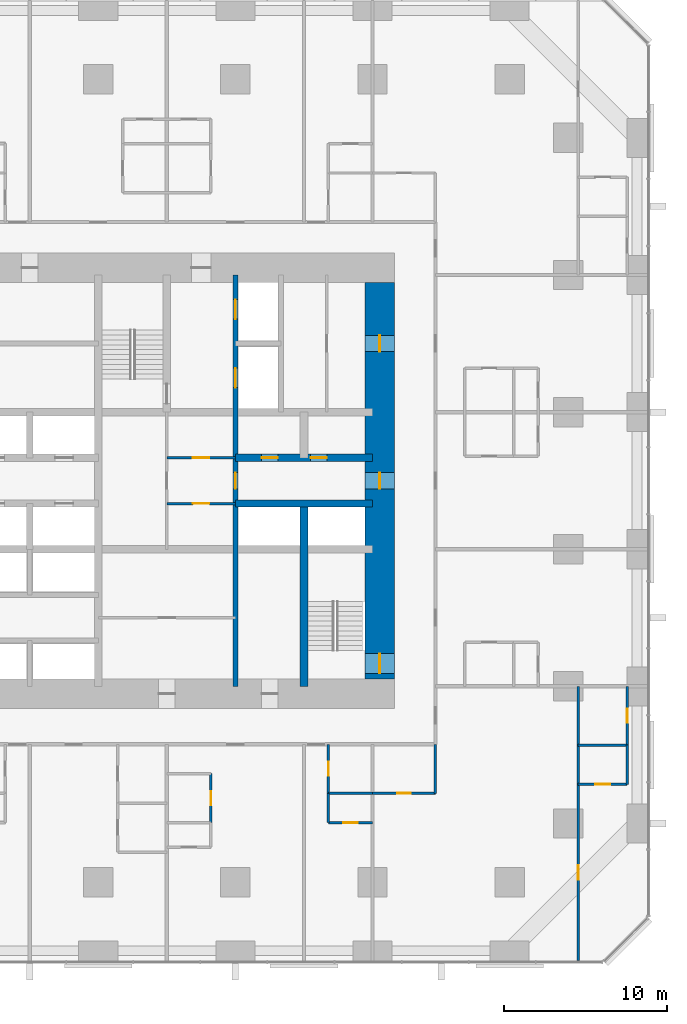
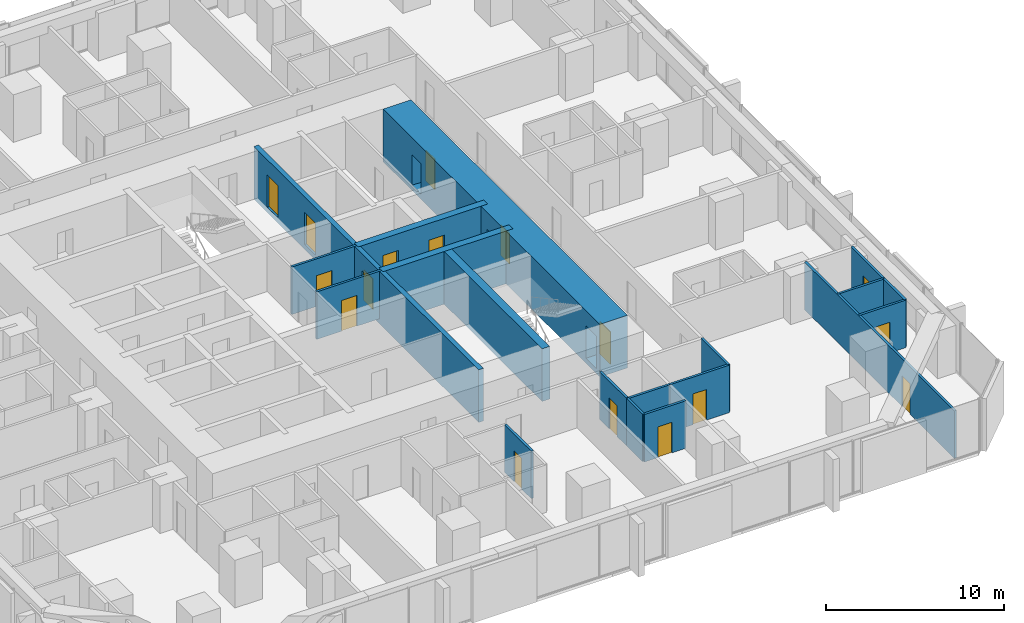
# One storey, part 13 of 17: 19 walls, 17 doors, 17 openings.
"""IFC4 building model written with IfcOpenShell, lengths in metres."""

from ifc_helpers import new_model, si_unit, direction, frame, frame_2d, origin, place, context, subcontext, project, spatial, rectangle, extrude, material, layer, layer_set, type_object, element, fill, save


model = new_model("IFC4")

# Units and contexts
model_context = context("Model", 3, precision=1e-05, world=origin(), true_north=direction((0.0, 1.0)))
body_context = subcontext(model_context, "Body", "Model", "MODEL_VIEW")
ifc_project = project(units=[si_unit("LENGTHUNIT", "METRE"), si_unit("AREAUNIT", "SQUARE_METRE"), si_unit("VOLUMEUNIT", "CUBIC_METRE"), si_unit("PLANEANGLEUNIT", "RADIAN"), si_unit("MASSUNIT", "GRAM", prefix="KILO")], contexts=[model_context])

# Site, building, storey
site_placement = place(None, origin())
site = spatial("IfcSite", under=ifc_project, at=site_placement, CompositionType="ELEMENT")
building_placement = place(site_placement, origin())
building = spatial("IfcBuilding", under=site, at=building_placement, Name="Dunama Terrace Hotel", CompositionType="ELEMENT")
storey_placement = place(building_placement, frame((0.0, 0.0, 37.800048828125)))
storey = spatial("IfcBuildingStorey", under=building, at=storey_placement, Name="L08", CompositionType="ELEMENT", Elevation=37.800048828125)

# Wall, opening, door
ifc_material_1 = material(Name="Gypsum board partition", Category="masonry")
ifc_layer_1 = layer(ifc_material_1, 0.14990234375)
ifc_layer_set_1 = layer_set([ifc_layer_1], Name="Bathroom partition 150")
wall_type_1 = type_object("IfcWallType", Name="Bathroom partition 150", PredefinedType="PARTITIONING", material=ifc_layer_set_1)
wall_1_placement = place(storey_placement, frame((32.10009765625, 8.449951171875, 0.0), z_axis=(0.0, 0.0, 1.0), x_axis=(0.0, 1.0, 0.0)))
wall_1 = element("IfcWall", 1, at=wall_1_placement, inside=storey, type_object=wall_type_1, Name="Bathroom partition 150 L08", PredefinedType="PARTITIONING", context=body_context, shape_type="SweptSolid", body=[
    extrude(rectangle(XDim=3.0, YDim=0.14990234375, at=frame_2d((1.5, 0.0))), origin(), (0.0, 0.0, 1.0), 3.25),
])
opening_1_placement = place(wall_1_placement, frame((1.074951171875, 0.0, 0.0)))
opening_1 = element("IfcOpeningElement", 2, at=opening_1_placement, cuts=wall_1, Name="Opening L07-09-016", PredefinedType="OPENING", context=body_context, shape_type="SweptSolid", body=[
    extrude(rectangle(XDim=0.85009765625, YDim=2.10009765625, at=frame_2d((0.425048828125, 1.050048828125))), frame((0.0, 0.0849609375, 0.0), z_axis=(0.0, -1.0, 0.0), x_axis=(1.0, 0.0, 0.0)), (0.0, 0.0, 1.0), 0.169921875),
])
ifc_material_2 = material(Name="Timber door with steel frame", Category="steel")
door_type_1 = type_object("IfcDoorType", Name="Bathroom door 850", OperationType="SINGLE_SWING_LEFT", PredefinedType="DOOR", material=ifc_material_2)
door_1_placement = place(opening_1_placement, origin())
door_1 = element("IfcDoor", 3, at=door_1_placement, inside=storey, type_object=door_type_1, Name="Door to en-suite bathroom L07-09-016, type D2", OperationType="SINGLE_SWING_LEFT", OverallHeight=2.10009765625, OverallWidth=0.85009765625, PredefinedType="DOOR", context=body_context, shape_type="SweptSolid", body=[
    extrude(rectangle(XDim=0.85009765625, YDim=2.10009765625, at=frame_2d((0.425048828125, 1.050048828125))), frame((0.0, 0.02490234375, 0.0), z_axis=(0.0, -1.0, 0.0), x_axis=(1.0, 0.0, 0.0)), (0.0, 0.0, 1.0), 0.050048828125),
])
fill(opening_1, door_1)

wall_2_placement = place(storey_placement, frame((39.300048828125, 10.25, 0.0), z_axis=(0.0, 0.0, 1.0), x_axis=(0.0, 1.0, 0.0)))
wall_2 = element("IfcWall", 4, at=wall_2_placement, inside=storey, type_object=wall_type_1, Name="Bathroom partition 150 L08", PredefinedType="PARTITIONING", context=body_context, shape_type="SweptSolid", body=[
    extrude(rectangle(XDim=3.0, YDim=0.14990234375, at=frame_2d((1.5, 0.0))), origin(), (0.0, 0.0, 1.0), 3.25),
])
opening_2_placement = place(wall_2_placement, frame((1.074951171875, 0.0, 0.0)))
opening_2 = element("IfcOpeningElement", 5, at=opening_2_placement, cuts=wall_2, Name="Opening L07-09-019", PredefinedType="OPENING", context=body_context, shape_type="SweptSolid", body=[
    extrude(rectangle(XDim=0.85009765625, YDim=2.10009765625, at=frame_2d((0.425048828125, 1.050048828125))), frame((0.0, 0.0849609375, 0.0), z_axis=(0.0, -1.0, 0.0), x_axis=(1.0, 0.0, 0.0)), (0.0, 0.0, 1.0), 0.169921875),
])
door_2_placement = place(opening_2_placement, frame((0.85009765625, 0.0, 0.0), z_axis=(0.0, 0.0, 1.0), x_axis=(-1.0, 0.0, 0.0)))
door_2 = element("IfcDoor", 6, at=door_2_placement, inside=storey, type_object=door_type_1, Name="Door to en-suite bathroom L07-09-019, type D2", OperationType="SINGLE_SWING_LEFT", OverallHeight=2.10009765625, OverallWidth=0.85009765625, PredefinedType="DOOR", context=body_context, shape_type="SweptSolid", body=[
    extrude(rectangle(XDim=0.85009765625, YDim=2.10009765625, at=frame_2d((0.425048828125, 1.050048828125))), frame((0.0, 0.025146484375, 0.0), z_axis=(0.0, -1.0, 0.0), x_axis=(1.0, 0.0, 0.0)), (0.0, 0.0, 1.0), 0.050048828125),
])
fill(opening_2, door_2)

# Wall
wall_3_placement = place(storey_placement, frame((45.85009765625, 10.25, 0.0), z_axis=(0.0, 0.0, 1.0), x_axis=(0.0, 1.0, 0.0)))
element("IfcWall", 7, at=wall_3_placement, inside=storey, type_object=wall_type_1, Name="Bathroom partition 150 L08", PredefinedType="PARTITIONING", context=body_context, shape_type="SweptSolid", body=[
    extrude(rectangle(XDim=3.0, YDim=0.14990234375, at=frame_2d((1.5, 0.0))), origin(), (0.0, 0.0, 1.0), 3.25),
])

# Wall, opening, door
wall_4_placement = place(storey_placement, frame((57.60009765625, 13.199951171875, 0.0), z_axis=(0.0, 0.0, 1.0), x_axis=(0.0, 1.0, 0.0)))
wall_4 = element("IfcWall", 8, at=wall_4_placement, inside=storey, type_object=wall_type_1, Name="Bathroom partition 150 L08", PredefinedType="PARTITIONING", context=body_context, shape_type="SweptSolid", body=[
    extrude(rectangle(XDim=3.60009765625, YDim=0.14990234375, at=frame_2d((1.800048828125, 0.0))), origin(), (0.0, 0.0, 1.0), 3.25),
])
opening_3_placement = place(wall_4_placement, frame((1.375, 0.0, 0.0)))
opening_3 = element("IfcOpeningElement", 9, at=opening_3_placement, cuts=wall_4, Name="Opening L07-09-066", PredefinedType="OPENING", context=body_context, shape_type="SweptSolid", body=[
    extrude(rectangle(XDim=0.85009765625, YDim=2.10009765625, at=frame_2d((0.425048828125, 1.050048828125))), frame((0.0, 0.0849609375, 0.0), z_axis=(0.0, -1.0, 0.0), x_axis=(1.0, 0.0, 0.0)), (0.0, 0.0, 1.0), 0.169921875),
])
door_3_placement = place(opening_3_placement, origin())
door_3 = element("IfcDoor", 10, at=door_3_placement, inside=storey, type_object=door_type_1, Name="Door to en-suite bathroom L07-09-066, type D2", OperationType="SINGLE_SWING_RIGHT", OverallHeight=2.10009765625, OverallWidth=0.85009765625, PredefinedType="DOOR", context=body_context, shape_type="SweptSolid", body=[
    extrude(rectangle(XDim=0.85009765625, YDim=2.10009765625, at=frame_2d((0.425048828125, 1.050048828125))), frame((0.0, 0.02490234375, 0.0), z_axis=(0.0, -1.0, 0.0), x_axis=(1.0, 0.0, 0.0)), (0.0, 0.0, 1.0), 0.050048828125),
])
fill(opening_3, door_3)

wall_5_placement = place(storey_placement, frame((42.0, 10.25, 0.0), z_axis=(0.0, 0.0, 1.0), x_axis=(1.0, 0.0, 0.0)))
wall_5 = element("IfcWall", 11, at=wall_5_placement, inside=storey, type_object=wall_type_1, Name="Bathroom partition 150 L08", PredefinedType="PARTITIONING", context=body_context, shape_type="SweptSolid", body=[
    extrude(rectangle(XDim=3.85009765625, YDim=0.14990234375, at=frame_2d((1.925048828125, 0.0))), origin(), (0.0, 0.0, 1.0), 3.25),
])
opening_4_placement = place(wall_5_placement, frame((1.5, 0.0, 0.0)))
opening_4 = element("IfcOpeningElement", 12, at=opening_4_placement, cuts=wall_5, Name="Opening L07-09-064", PredefinedType="OPENING", context=body_context, shape_type="SweptSolid", body=[
    extrude(rectangle(XDim=0.85009765625, YDim=2.10009765625, at=frame_2d((0.425048828125, 1.050048828125))), frame((0.0, 0.0849609375, 0.0), z_axis=(0.0, -1.0, 0.0), x_axis=(1.0, 0.0, 0.0)), (0.0, 0.0, 1.0), 0.169921875),
])
door_4_placement = place(opening_4_placement, origin())
door_4 = element("IfcDoor", 13, at=door_4_placement, inside=storey, type_object=door_type_1, Name="Door to powder room L07-09-064, type D2", OperationType="SINGLE_SWING_LEFT", OverallHeight=2.10009765625, OverallWidth=0.85009765625, PredefinedType="DOOR", context=body_context, shape_type="SweptSolid", body=[
    extrude(rectangle(XDim=0.85009765625, YDim=2.10009765625, at=frame_2d((0.425048828125, 1.050048828125))), frame((0.0, 0.02490234375, 0.0), z_axis=(0.0, -1.0, 0.0), x_axis=(1.0, 0.0, 0.0)), (0.0, 0.0, 1.0), 0.050048828125),
])
fill(opening_4, door_4)

# Wall, openings, doors
ifc_material_3 = material(Name="Concrete C50/60", Category="concrete")
ifc_layer_2 = layer(ifc_material_3, 0.300048828125)
ifc_layer_set_2 = layer_set([ifc_layer_2], Name="Core inner wall 300")
wall_type_2 = type_object("IfcWallType", Name="Core inner wall 300", PredefinedType="SHEAR", material=ifc_layer_set_2)
wall_6_placement = place(storey_placement, frame((33.60009765625, 16.800048828125, -0.35009765625), z_axis=(0.0, 0.0, 1.0), x_axis=(0.0, 1.0, 0.0)))
wall_6 = element("IfcWall", 14, at=wall_6_placement, inside=storey, type_object=wall_type_2, Name="Core inner wall 300 L08", PredefinedType="SHEAR", context=body_context, shape_type="SweptSolid", body=[
    extrude(rectangle(XDim=25.199951171875, YDim=0.300048828125, at=frame_2d((12.60009765625, 0.0))), origin(), (0.0, 0.0, 1.0), 3.60009765625),
])
opening_5_placement = place(wall_6_placement, frame((22.5, 0.0, 0.35009765625)))
opening_5 = element("IfcOpeningElement", 15, at=opening_5_placement, cuts=wall_6, Name="Opening L07-09-007", PredefinedType="OPENING", context=body_context, shape_type="SweptSolid", body=[
    extrude(rectangle(XDim=1.199951171875, YDim=2.199951171875, at=frame_2d((0.60009765625, 1.10009765625))), frame((0.0, 0.159912109375, 0.0), z_axis=(0.0, -1.0, 0.0), x_axis=(1.0, 0.0, 0.0)), (0.0, 0.0, 1.0), 0.320068359375),
])
opening_6_placement = place(wall_6_placement, frame((18.300048828125, 0.0, 0.35009765625)))
opening_6 = element("IfcOpeningElement", 16, at=opening_6_placement, cuts=wall_6, Name="Opening L07-09-008", PredefinedType="OPENING", context=body_context, shape_type="SweptSolid", body=[
    extrude(rectangle(XDim=1.199951171875, YDim=2.199951171875, at=frame_2d((0.60009765625, 1.10009765625))), frame((0.0, 0.159912109375, 0.0), z_axis=(0.0, -1.0, 0.0), x_axis=(1.0, 0.0, 0.0)), (0.0, 0.0, 1.0), 0.320068359375),
])
opening_7_placement = place(wall_6_placement, frame((12.10009765625, 0.0, 0.35009765625)))
opening_7 = element("IfcOpeningElement", 17, at=opening_7_placement, cuts=wall_6, Name="Opening L07-09-082", PredefinedType="OPENING", context=body_context, shape_type="SweptSolid", body=[
    extrude(rectangle(XDim=1.0, YDim=2.10009765625, at=frame_2d((0.5, 1.050048828125))), frame((0.0, 0.159912109375, 0.0), z_axis=(0.0, -1.0, 0.0), x_axis=(1.0, 0.0, 0.0)), (0.0, 0.0, 1.0), 0.320068359375),
])
ifc_material_4 = material(Name="Stainless steel lift door", Category="steel")
door_type_2 = type_object("IfcDoorType", Name="Firefighting lift landing door 1200", OperationType="DOUBLE_DOOR_SLIDING", PredefinedType="DOOR", material=ifc_material_4)
door_5_placement = place(opening_5_placement, origin())
door_5 = element("IfcDoor", 18, at=door_5_placement, inside=storey, type_object=door_type_2, Name="Landing door FL1 L07-09-007, type LD2", OperationType="DOUBLE_DOOR_SLIDING", OverallHeight=2.199951171875, OverallWidth=1.199951171875, PredefinedType="DOOR", context=body_context, shape_type="SweptSolid", body=[
    extrude(rectangle(XDim=1.199951171875, YDim=2.199951171875, at=frame_2d((0.60009765625, 1.10009765625))), frame((0.0, 0.02490234375, 0.0), z_axis=(0.0, -1.0, 0.0), x_axis=(1.0, 0.0, 0.0)), (0.0, 0.0, 1.0), 0.050048828125),
])
fill(opening_5, door_5)
door_6_placement = place(opening_6_placement, origin())
door_6 = element("IfcDoor", 19, at=door_6_placement, inside=storey, type_object=door_type_2, Name="Landing door FL2 L07-09-008, type LD2", OperationType="DOUBLE_DOOR_SLIDING", OverallHeight=2.199951171875, OverallWidth=1.199951171875, PredefinedType="DOOR", context=body_context, shape_type="SweptSolid", body=[
    extrude(rectangle(XDim=1.199951171875, YDim=2.199951171875, at=frame_2d((0.60009765625, 1.10009765625))), frame((0.0, 0.02490234375, 0.0), z_axis=(0.0, -1.0, 0.0), x_axis=(1.0, 0.0, 0.0)), (0.0, 0.0, 1.0), 0.050048828125),
])
fill(opening_6, door_6)
ifc_material_5 = material(Name="Timber door with steel frame", Category="steel")
door_type_3 = type_object("IfcDoorType", Name="Service door 1000", OperationType="SINGLE_SWING_LEFT", PredefinedType="DOOR", material=ifc_material_5)
door_7_placement = place(opening_7_placement, origin())
door_7 = element("IfcDoor", 20, at=door_7_placement, inside=storey, type_object=door_type_3, Name="Door to staff passage L07-09-082, type D7", OperationType="SINGLE_SWING_LEFT", OverallHeight=2.10009765625, OverallWidth=1.0, PredefinedType="DOOR", context=body_context, shape_type="SweptSolid", body=[
    extrude(rectangle(XDim=1.0, YDim=2.10009765625, at=frame_2d((0.5, 1.050048828125))), frame((0.0, 0.02490234375, 0.0), z_axis=(0.0, -1.0, 0.0), x_axis=(1.0, 0.0, 0.0)), (0.0, 0.0, 1.0), 0.050048828125),
])
fill(opening_7, door_7)

# Wall
ifc_material_6 = material(Name="Concrete C50/60", Category="concrete")
ifc_layer_3 = layer(ifc_material_6, 0.449951171875)
ifc_layer_set_3 = layer_set([ifc_layer_3], Name="Core inner wall 450")
wall_type_3 = type_object("IfcWallType", Name="Core inner wall 450", PredefinedType="SHEAR", material=ifc_layer_set_3)
wall_7_placement = place(storey_placement, frame((33.60009765625, 28.0, -0.35009765625), z_axis=(0.0, 0.0, 1.0), x_axis=(1.0, 0.0, 0.0)))
element("IfcWall", 21, at=wall_7_placement, inside=storey, type_object=wall_type_3, Name="Core inner wall 450 L08", PredefinedType="SHEAR", context=body_context, shape_type="SweptSolid", body=[
    extrude(rectangle(XDim=8.39990234375, YDim=0.449951171875, at=frame_2d((4.199951171875, 0.0))), origin(), (0.0, 0.0, 1.0), 3.60009765625),
])

# Wall, openings, doors
wall_8_placement = place(storey_placement, frame((33.60009765625, 30.800048828125, -0.35009765625), z_axis=(0.0, 0.0, 1.0), x_axis=(1.0, 0.0, 0.0)))
wall_8 = element("IfcWall", 22, at=wall_8_placement, inside=storey, type_object=wall_type_3, Name="Core inner wall 450 L08", PredefinedType="SHEAR", context=body_context, shape_type="SweptSolid", body=[
    extrude(rectangle(XDim=8.39990234375, YDim=0.449951171875, at=frame_2d((4.199951171875, 0.0))), origin(), (0.0, 0.0, 1.0), 3.60009765625),
])
opening_8_placement = place(wall_8_placement, frame((1.60009765625, 0.0, 0.35009765625)))
opening_8 = element("IfcOpeningElement", 23, at=opening_8_placement, cuts=wall_8, Name="Opening L07-09-086", PredefinedType="OPENING", context=body_context, shape_type="SweptSolid", body=[
    extrude(rectangle(XDim=1.0, YDim=2.10009765625, at=frame_2d((0.5, 1.050048828125))), frame((0.0, 0.23486328125, 0.0), z_axis=(0.0, -1.0, 0.0), x_axis=(1.0, 0.0, 0.0)), (0.0, 0.0, 1.0), 0.469970703125),
])
opening_9_placement = place(wall_8_placement, frame((4.60009765625, 0.0, 0.35009765625)))
opening_9 = element("IfcOpeningElement", 24, at=opening_9_placement, cuts=wall_8, Name="Opening L07-09-087", PredefinedType="OPENING", context=body_context, shape_type="SweptSolid", body=[
    extrude(rectangle(XDim=1.0, YDim=2.10009765625, at=frame_2d((0.5, 1.050048828125))), frame((0.0, 0.23486328125, 0.0), z_axis=(0.0, -1.0, 0.0), x_axis=(1.0, 0.0, 0.0)), (0.0, 0.0, 1.0), 0.469970703125),
])
door_8_placement = place(opening_8_placement, origin())
door_8 = element("IfcDoor", 25, at=door_8_placement, inside=storey, type_object=door_type_3, Name="Door to service riser L07-09-086, type D7", OperationType="SINGLE_SWING_RIGHT", OverallHeight=2.10009765625, OverallWidth=1.0, PredefinedType="DOOR", context=body_context, shape_type="SweptSolid", body=[
    extrude(rectangle(XDim=1.0, YDim=2.10009765625, at=frame_2d((0.5, 1.050048828125))), frame((0.0, 0.02490234375, 0.0), z_axis=(0.0, -1.0, 0.0), x_axis=(1.0, 0.0, 0.0)), (0.0, 0.0, 1.0), 0.050048828125),
])
fill(opening_8, door_8)
door_9_placement = place(opening_9_placement, origin())
door_9 = element("IfcDoor", 26, at=door_9_placement, inside=storey, type_object=door_type_3, Name="Door to staff accessible wc L07-09-087, type D7", OperationType="SINGLE_SWING_LEFT", OverallHeight=2.10009765625, OverallWidth=1.0, PredefinedType="DOOR", context=body_context, shape_type="SweptSolid", body=[
    extrude(rectangle(XDim=1.0, YDim=2.10009765625, at=frame_2d((0.5, 1.050048828125))), frame((0.0, 0.02490234375, 0.0), z_axis=(0.0, -1.0, 0.0), x_axis=(1.0, 0.0, 0.0)), (0.0, 0.0, 1.0), 0.050048828125),
])
fill(opening_9, door_9)

# Wall
ifc_material_7 = material(Name="Concrete C50/60", Category="concrete")
ifc_layer_4 = layer(ifc_material_7, 0.5)
ifc_layer_set_4 = layer_set([ifc_layer_4], Name="Core inner wall 500")
wall_type_4 = type_object("IfcWallType", Name="Core inner wall 500", PredefinedType="SHEAR", material=ifc_layer_set_4)
wall_9_placement = place(storey_placement, frame((37.800048828125, 16.800048828125, -0.35009765625), z_axis=(0.0, 0.0, 1.0), x_axis=(0.0, 1.0, 0.0)))
element("IfcWall", 27, at=wall_9_placement, inside=storey, type_object=wall_type_4, Name="Core inner wall 500 L08", PredefinedType="SHEAR", context=body_context, shape_type="SweptSolid", body=[
    extrude(rectangle(XDim=11.199951171875, YDim=0.5, at=frame_2d((5.60009765625, 0.0))), origin(), (0.0, 0.0, 1.0), 3.60009765625),
])

# Wall, openings, doors
ifc_material_8 = material(Name="Concrete C60/75", Category="concrete")
ifc_layer_5 = layer(ifc_material_8, 1.800048828125)
ifc_layer_set_5 = layer_set([ifc_layer_5], Name="Core wall 1800")
wall_type_5 = type_object("IfcWallType", Name="Core wall 1800", PredefinedType="SHEAR", material=ifc_layer_set_5)
wall_10_placement = place(storey_placement, frame((42.449951171875, 17.25, -0.35009765625), z_axis=(0.0, 0.0, 1.0), x_axis=(0.0, 1.0, 0.0)))
wall_10 = element("IfcWall", 28, at=wall_10_placement, inside=storey, type_object=wall_type_5, Name="Core wall east L08", PredefinedType="SHEAR", context=body_context, shape_type="SweptSolid", body=[
    extrude(rectangle(XDim=24.300048828125, YDim=1.800048828125, at=frame_2d((12.14990234375, 0.0))), origin(), (0.0, 0.0, 1.0), 3.60009765625),
])
opening_10_placement = place(wall_10_placement, frame((0.35009765625, 0.0, 0.35009765625)))
opening_10 = element("IfcOpeningElement", 29, at=opening_10_placement, cuts=wall_10, Name="Opening L07-09-002", PredefinedType="OPENING", context=body_context, shape_type="SweptSolid", body=[
    extrude(rectangle(XDim=1.199951171875, YDim=2.199951171875, at=frame_2d((0.60009765625, 1.10009765625))), frame((0.0, 0.909912109375, 0.0), z_axis=(0.0, -1.0, 0.0), x_axis=(1.0, 0.0, 0.0)), (0.0, 0.0, 1.0), 1.820068359375),
])
opening_11_placement = place(wall_10_placement, frame((11.64990234375, 0.0, 0.35009765625)))
opening_11 = element("IfcOpeningElement", 30, at=opening_11_placement, cuts=wall_10, Name="Opening L07-09-088", PredefinedType="OPENING", context=body_context, shape_type="SweptSolid", body=[
    extrude(rectangle(XDim=1.0, YDim=2.10009765625, at=frame_2d((0.5, 1.050048828125))), frame((0.0, 0.909912109375, 0.0), z_axis=(0.0, -1.0, 0.0), x_axis=(1.0, 0.0, 0.0)), (0.0, 0.0, 1.0), 1.820068359375),
])
opening_12_placement = place(wall_10_placement, frame((20.050048828125, 0.0, 0.35009765625)))
opening_12 = element("IfcOpeningElement", 31, at=opening_12_placement, cuts=wall_10, Name="Opening L07-09-090", PredefinedType="OPENING", context=body_context, shape_type="SweptSolid", body=[
    extrude(rectangle(XDim=1.0, YDim=2.10009765625, at=frame_2d((0.5, 1.050048828125))), frame((0.0, 0.909912109375, 0.0), z_axis=(0.0, -1.0, 0.0), x_axis=(1.0, 0.0, 0.0)), (0.0, 0.0, 1.0), 1.820068359375),
])
door_10_placement = place(opening_11_placement, origin())
door_10 = element("IfcDoor", 32, at=door_10_placement, inside=storey, type_object=door_type_3, Name="Door to service lobby L07-09-088, type D7", OperationType="SINGLE_SWING_LEFT", OverallHeight=2.10009765625, OverallWidth=1.0, PredefinedType="DOOR", context=body_context, shape_type="SweptSolid", body=[
    extrude(rectangle(XDim=1.0, YDim=2.10009765625, at=frame_2d((0.5, 1.050048828125))), frame((0.0, 0.02490234375, 0.0), z_axis=(0.0, -1.0, 0.0), x_axis=(1.0, 0.0, 0.0)), (0.0, 0.0, 1.0), 0.050048828125),
])
fill(opening_11, door_10)
door_11_placement = place(opening_12_placement, origin())
door_11 = element("IfcDoor", 33, at=door_11_placement, inside=storey, type_object=door_type_3, Name="Door to housekeeping store L07-09-090, type D7", OperationType="SINGLE_SWING_LEFT", OverallHeight=2.10009765625, OverallWidth=1.0, PredefinedType="DOOR", context=body_context, shape_type="SweptSolid", body=[
    extrude(rectangle(XDim=1.0, YDim=2.10009765625, at=frame_2d((0.5, 1.050048828125))), frame((0.0, 0.02490234375, 0.0), z_axis=(0.0, -1.0, 0.0), x_axis=(1.0, 0.0, 0.0)), (0.0, 0.0, 1.0), 0.050048828125),
])
fill(opening_12, door_11)
ifc_material_9 = material(Name="Timber door with steel frame", Category="steel")
door_type_4 = type_object("IfcDoorType", Name="Stair door 1200", OperationType="SINGLE_SWING_LEFT", PredefinedType="DOOR", material=ifc_material_9)
door_12_placement = place(opening_10_placement, origin())
door_12 = element("IfcDoor", 34, at=door_12_placement, inside=storey, type_object=door_type_4, Name="Stair door ST2 L07-09-002, type D5", OperationType="SINGLE_SWING_LEFT", OverallHeight=2.199951171875, OverallWidth=1.199951171875, PredefinedType="DOOR", context=body_context, shape_type="SweptSolid", body=[
    extrude(rectangle(XDim=1.199951171875, YDim=2.199951171875, at=frame_2d((0.60009765625, 1.10009765625))), frame((0.0, 0.02490234375, 0.0), z_axis=(0.0, -1.0, 0.0), x_axis=(1.0, 0.0, 0.0)), (0.0, 0.0, 1.0), 0.050048828125),
])
fill(opening_10, door_12)

# Wall
ifc_material_10 = material(Name="Gypsum board partition", Category="masonry")
ifc_layer_6 = layer(ifc_material_10, 0.14990234375)
ifc_layer_set_6 = layer_set([ifc_layer_6], Name="Room partition 150")
wall_type_6 = type_object("IfcWallType", Name="Room partition 150", PredefinedType="PARTITIONING", material=ifc_layer_set_6)
wall_11_placement = place(storey_placement, frame((39.300048828125, 8.449951171875, 0.0), z_axis=(0.0, 0.0, 1.0), x_axis=(0.0, 1.0, 0.0)))
element("IfcWall", 35, at=wall_11_placement, inside=storey, type_object=wall_type_6, Name="Room partition 150 L08", PredefinedType="PARTITIONING", context=body_context, shape_type="SweptSolid", body=[
    extrude(rectangle(XDim=1.800048828125, YDim=0.14990234375, at=frame_2d((0.89990234375, 0.0))), origin(), (0.0, 0.0, 1.0), 3.25),
])

# Wall, opening, door
wall_12_placement = place(storey_placement, frame((54.60009765625, -0.008056640625, 0.0), z_axis=(0.0, 0.0, 1.0), x_axis=(0.0, 1.0, 0.0)))
wall_12 = element("IfcWall", 36, at=wall_12_placement, inside=storey, type_object=wall_type_6, Name="Room partition 150 L08", PredefinedType="PARTITIONING", context=body_context, shape_type="SweptSolid", body=[
    extrude(rectangle(XDim=16.80810546875, YDim=0.14990234375, at=frame_2d((8.404052734375, 0.0))), origin(), (0.0, 0.0, 1.0), 3.25),
])
opening_13_placement = place(wall_12_placement, frame((4.9580078125, 0.0, 0.0)))
opening_13 = element("IfcOpeningElement", 37, at=opening_13_placement, cuts=wall_12, Name="Opening L07-09-065", PredefinedType="OPENING", context=body_context, shape_type="SweptSolid", body=[
    extrude(rectangle(XDim=0.89990234375, YDim=2.10009765625, at=frame_2d((0.449951171875, 1.050048828125))), frame((0.0, 0.0849609375, 0.0), z_axis=(0.0, -1.0, 0.0), x_axis=(1.0, 0.0, 0.0)), (0.0, 0.0, 1.0), 0.169921875),
])
ifc_material_11 = material(Name="Timber door with steel frame", Category="steel")
door_type_5 = type_object("IfcDoorType", Name="Suite internal door 900", OperationType="SINGLE_SWING_LEFT", PredefinedType="DOOR", material=ifc_material_11)
door_13_placement = place(opening_13_placement, frame((0.89990234375, 0.0, 0.0), z_axis=(0.0, 0.0, 1.0), x_axis=(-1.0, 0.0, 0.0)))
door_13 = element("IfcDoor", 38, at=door_13_placement, inside=storey, type_object=door_type_5, Name="Door to corner suite bedroom L07-09-065, type D16", OperationType="SINGLE_SWING_LEFT", OverallHeight=2.10009765625, OverallWidth=0.89990234375, PredefinedType="DOOR", context=body_context, shape_type="SweptSolid", body=[
    extrude(rectangle(XDim=0.89990234375, YDim=2.10009765625, at=frame_2d((0.449951171875, 1.050048828125))), frame((0.0, 0.025146484375, 0.0), z_axis=(0.0, -1.0, 0.0), x_axis=(1.0, 0.0, 0.0)), (0.0, 0.0, 1.0), 0.050048828125),
])
fill(opening_13, door_13)

# Wall
wall_13_placement = place(storey_placement, frame((57.60009765625, 10.800048828125, 0.0), z_axis=(0.0, 0.0, 1.0), x_axis=(0.0, 1.0, 0.0)))
element("IfcWall", 39, at=wall_13_placement, inside=storey, type_object=wall_type_6, Name="Room partition 150 L08", PredefinedType="PARTITIONING", context=body_context, shape_type="SweptSolid", body=[
    extrude(rectangle(XDim=2.39990234375, YDim=0.14990234375, at=frame_2d((1.199951171875, 0.0))), origin(), (0.0, 0.0, 1.0), 3.25),
])

# Wall, opening, door
wall_14_placement = place(storey_placement, frame((39.300048828125, 8.449951171875, 0.0), z_axis=(0.0, 0.0, 1.0), x_axis=(1.0, 0.0, 0.0)))
wall_14 = element("IfcWall", 40, at=wall_14_placement, inside=storey, type_object=wall_type_6, Name="Room partition 150 L08", PredefinedType="PARTITIONING", context=body_context, shape_type="SweptSolid", body=[
    extrude(rectangle(XDim=2.699951171875, YDim=0.14990234375, at=frame_2d((1.35009765625, 0.0))), origin(), (0.0, 0.0, 1.0), 3.25),
])
opening_14_placement = place(wall_14_placement, frame((0.89990234375, 0.0, 0.0)))
opening_14 = element("IfcOpeningElement", 41, at=opening_14_placement, cuts=wall_14, Name="Opening L07-09-020", PredefinedType="OPENING", context=body_context, shape_type="SweptSolid", body=[
    extrude(rectangle(XDim=0.89990234375, YDim=2.10009765625, at=frame_2d((0.449951171875, 1.050048828125))), frame((0.0, 0.0849609375, 0.0), z_axis=(0.0, -1.0, 0.0), x_axis=(1.0, 0.0, 0.0)), (0.0, 0.0, 1.0), 0.169921875),
])
door_14_placement = place(opening_14_placement, origin())
door_14 = element("IfcDoor", 42, at=door_14_placement, inside=storey, type_object=door_type_5, Name="Door to walk-in wardrobe L07-09-020, type D16", OperationType="SINGLE_SWING_RIGHT", OverallHeight=2.10009765625, OverallWidth=0.89990234375, PredefinedType="DOOR", context=body_context, shape_type="SweptSolid", body=[
    extrude(rectangle(XDim=0.89990234375, YDim=2.10009765625, at=frame_2d((0.449951171875, 1.050048828125))), frame((0.0, 0.02490234375, 0.0), z_axis=(0.0, -1.0, 0.0), x_axis=(1.0, 0.0, 0.0)), (0.0, 0.0, 1.0), 0.050048828125),
])
fill(opening_14, door_14)

# Wall
wall_15_placement = place(storey_placement, frame((39.300048828125, 10.25, 0.0), z_axis=(0.0, 0.0, 1.0), x_axis=(1.0, 0.0, 0.0)))
element("IfcWall", 43, at=wall_15_placement, inside=storey, type_object=wall_type_6, Name="Room partition 150 L08", PredefinedType="PARTITIONING", context=body_context, shape_type="SweptSolid", body=[
    extrude(rectangle(XDim=2.699951171875, YDim=0.14990234375, at=frame_2d((1.35009765625, 0.0))), origin(), (0.0, 0.0, 1.0), 3.25),
])

# Wall, opening, door
wall_16_placement = place(storey_placement, frame((54.60009765625, 10.800048828125, 0.0), z_axis=(0.0, 0.0, 1.0), x_axis=(1.0, 0.0, 0.0)))
wall_16 = element("IfcWall", 44, at=wall_16_placement, inside=storey, type_object=wall_type_6, Name="Room partition 150 L08", PredefinedType="PARTITIONING", context=body_context, shape_type="SweptSolid", body=[
    extrude(rectangle(XDim=3.0, YDim=0.14990234375, at=frame_2d((1.5, 0.0))), origin(), (0.0, 0.0, 1.0), 3.25),
])
opening_15_placement = place(wall_16_placement, frame((1.050048828125, 0.0, 0.0)))
opening_15 = element("IfcOpeningElement", 45, at=opening_15_placement, cuts=wall_16, Name="Opening L07-09-067", PredefinedType="OPENING", context=body_context, shape_type="SweptSolid", body=[
    extrude(rectangle(XDim=0.89990234375, YDim=2.10009765625, at=frame_2d((0.449951171875, 1.050048828125))), frame((0.0, 0.0849609375, 0.0), z_axis=(0.0, -1.0, 0.0), x_axis=(1.0, 0.0, 0.0)), (0.0, 0.0, 1.0), 0.169921875),
])
door_15_placement = place(opening_15_placement, origin())
door_15 = element("IfcDoor", 46, at=door_15_placement, inside=storey, type_object=door_type_5, Name="Door to dressing room L07-09-067, type D16", OperationType="SINGLE_SWING_LEFT", OverallHeight=2.10009765625, OverallWidth=0.89990234375, PredefinedType="DOOR", context=body_context, shape_type="SweptSolid", body=[
    extrude(rectangle(XDim=0.89990234375, YDim=2.10009765625, at=frame_2d((0.449951171875, 1.050048828125))), frame((0.0, 0.02490234375, 0.0), z_axis=(0.0, -1.0, 0.0), x_axis=(1.0, 0.0, 0.0)), (0.0, 0.0, 1.0), 0.050048828125),
])
fill(opening_15, door_15)

# Wall
wall_17_placement = place(storey_placement, frame((54.60009765625, 13.199951171875, 0.0), z_axis=(0.0, 0.0, 1.0), x_axis=(1.0, 0.0, 0.0)))
element("IfcWall", 47, at=wall_17_placement, inside=storey, type_object=wall_type_6, Name="Room partition 150 L08", PredefinedType="PARTITIONING", context=body_context, shape_type="SweptSolid", body=[
    extrude(rectangle(XDim=3.0, YDim=0.14990234375, at=frame_2d((1.5, 0.0))), origin(), (0.0, 0.0, 1.0), 3.25),
])

# Wall, opening, door
wall_18_placement = place(storey_placement, frame((29.39990234375, 28.0, 0.0), z_axis=(0.0, 0.0, 1.0), x_axis=(1.0, 0.0, 0.0)))
wall_18 = element("IfcWall", 48, at=wall_18_placement, inside=storey, type_object=wall_type_6, Name="Room partition 150 L08", PredefinedType="PARTITIONING", context=body_context, shape_type="SweptSolid", body=[
    extrude(rectangle(XDim=4.2001953125, YDim=0.14990234375, at=frame_2d((2.10009765625, 0.0))), origin(), (0.0, 0.0, 1.0), 3.25),
])
opening_16_placement = place(wall_18_placement, frame((1.60009765625, 0.0, 0.0)))
opening_16 = element("IfcOpeningElement", 49, at=opening_16_placement, cuts=wall_18, Name="Opening L07-09-083", PredefinedType="OPENING", context=body_context, shape_type="SweptSolid", body=[
    extrude(rectangle(XDim=1.0, YDim=2.10009765625, at=frame_2d((0.5, 1.050048828125))), frame((0.0, 0.0849609375, 0.0), z_axis=(0.0, -1.0, 0.0), x_axis=(1.0, 0.0, 0.0)), (0.0, 0.0, 1.0), 0.169921875),
])
door_16_placement = place(opening_16_placement, frame((1.0, 0.0, 0.0), z_axis=(0.0, 0.0, 1.0), x_axis=(-1.0, 0.0, 0.0)))
door_16 = element("IfcDoor", 50, at=door_16_placement, inside=storey, type_object=door_type_3, Name="Door to linen and housekeeping room L07-09-083, type D7", OperationType="SINGLE_SWING_LEFT", OverallHeight=2.10009765625, OverallWidth=1.0, PredefinedType="DOOR", context=body_context, shape_type="SweptSolid", body=[
    extrude(rectangle(XDim=1.0, YDim=2.10009765625, at=frame_2d((0.5, 1.050048828125))), frame((0.0, 0.025146484375, 0.0), z_axis=(0.0, -1.0, 0.0), x_axis=(1.0, 0.0, 0.0)), (0.0, 0.0, 1.0), 0.050048828125),
])
fill(opening_16, door_16)

wall_19_placement = place(storey_placement, frame((29.39990234375, 30.800048828125, 0.0), z_axis=(0.0, 0.0, 1.0), x_axis=(1.0, 0.0, 0.0)))
wall_19 = element("IfcWall", 51, at=wall_19_placement, inside=storey, type_object=wall_type_6, Name="Room partition 150 L08", PredefinedType="PARTITIONING", context=body_context, shape_type="SweptSolid", body=[
    extrude(rectangle(XDim=4.2001953125, YDim=0.14990234375, at=frame_2d((2.10009765625, 0.0))), origin(), (0.0, 0.0, 1.0), 3.25),
])
opening_17_placement = place(wall_19_placement, frame((1.60009765625, 0.0, 0.0)))
opening_17 = element("IfcOpeningElement", 52, at=opening_17_placement, cuts=wall_19, Name="Opening L07-09-084", PredefinedType="OPENING", context=body_context, shape_type="SweptSolid", body=[
    extrude(rectangle(XDim=1.0, YDim=2.10009765625, at=frame_2d((0.5, 1.050048828125))), frame((0.0, 0.0849609375, 0.0), z_axis=(0.0, -1.0, 0.0), x_axis=(1.0, 0.0, 0.0)), (0.0, 0.0, 1.0), 0.169921875),
])
door_17_placement = place(opening_17_placement, origin())
door_17 = element("IfcDoor", 53, at=door_17_placement, inside=storey, type_object=door_type_3, Name="Door to room service pantry L07-09-084, type D7", OperationType="SINGLE_SWING_RIGHT", OverallHeight=2.10009765625, OverallWidth=1.0, PredefinedType="DOOR", context=body_context, shape_type="SweptSolid", body=[
    extrude(rectangle(XDim=1.0, YDim=2.10009765625, at=frame_2d((0.5, 1.050048828125))), frame((0.0, 0.02490234375, 0.0), z_axis=(0.0, -1.0, 0.0), x_axis=(1.0, 0.0, 0.0)), (0.0, 0.0, 1.0), 0.050048828125),
])
fill(opening_17, door_17)

save(model, "model.ifc")
